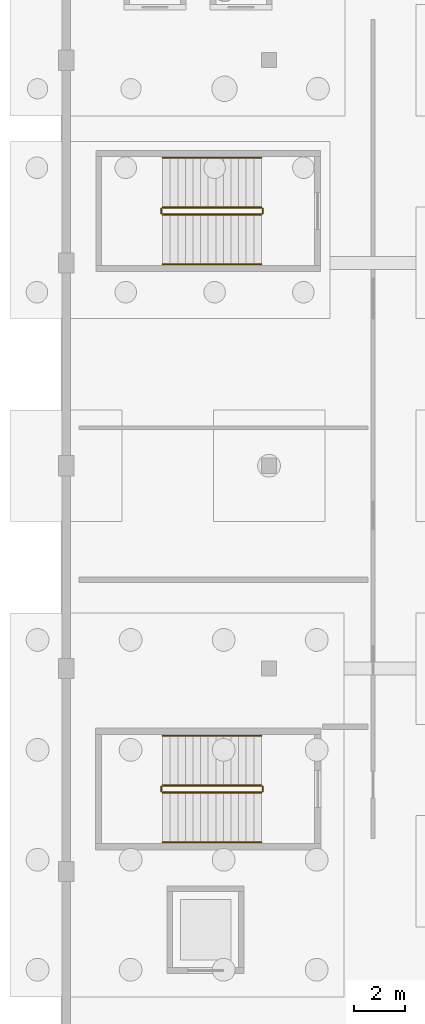
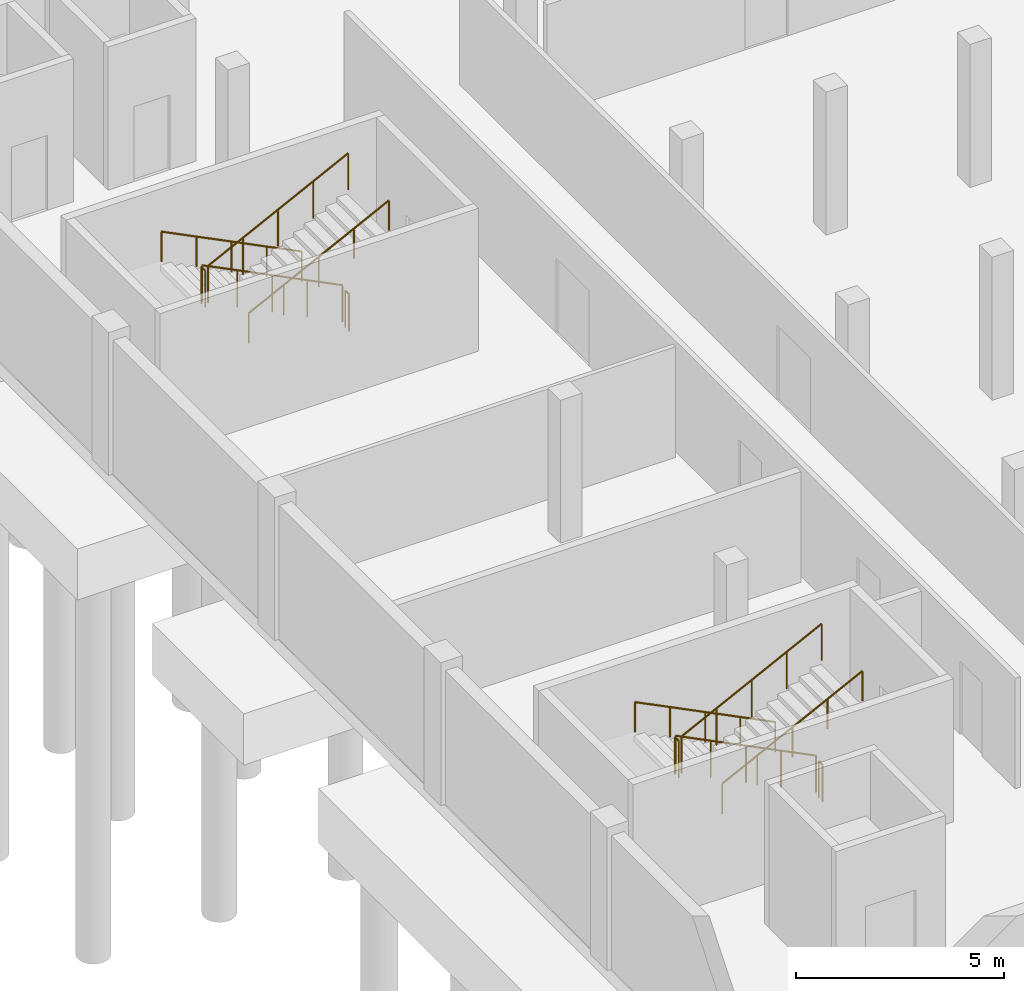
# One storey, part 11 of 15: 12 railings.
"""IFC4 building model written with IfcOpenShell, lengths in metres."""

from ifc_helpers import new_model, si_unit, derived_unit, direction, frame, origin, origin_2d, place, context, subcontext, project, spatial, circle, extrude, material, type_object, element, save


model = new_model("IFC4")

# Units and contexts
model_context = context("Model", 3, precision=1e-05, world=origin(), true_north=direction((0.0, 1.0)))
body_context = subcontext(model_context, "Body", "Model", "MODEL_VIEW")
ifc_project = project(units=[si_unit("LENGTHUNIT", "METRE"), si_unit("AREAUNIT", "SQUARE_METRE"), si_unit("VOLUMEUNIT", "CUBIC_METRE"), si_unit("PLANEANGLEUNIT", "RADIAN"), si_unit("MASSUNIT", "GRAM", prefix="KILO"), derived_unit("THERMALTRANSMITTANCEUNIT", [(si_unit("POWERUNIT", "WATT"), 1), (si_unit("LENGTHUNIT", "METRE"), -2), (si_unit("THERMODYNAMICTEMPERATUREUNIT", "KELVIN"), -1)])], contexts=[model_context])

# Site, building, storey
site_placement = place(None, origin())
site = spatial("IfcSite", under=ifc_project, at=site_placement, CompositionType="ELEMENT")
building_placement = place(site_placement, origin())
building = spatial("IfcBuilding", under=site, at=building_placement, Name="Keldorne Ridge Multi-Sports Centre", CompositionType="ELEMENT")
storey_placement = place(building_placement, frame((0.0, 0.0, -4.199951171875)))
storey = spatial("IfcBuildingStorey", under=building, at=storey_placement, Name="B01", CompositionType="ELEMENT", Elevation=-4.199951171875)

# Railings
ifc_material_1 = material(Name="Laminated glass and stainless steel", Category="steel")
railing_type_1 = type_object("IfcRailingType", Name="RLG-BL-01", PredefinedType="BALUSTRADE", material=ifc_material_1)
railing_1_placement = place(storey_placement, frame((111.699951171875, 77.389892578125, 0.14990234375)))
element("IfcRailing", 1, at=railing_1_placement, inside=storey, type_object=railing_type_1, Name="B01 ST-02 stair guard 1", PredefinedType="BALUSTRADE", context=body_context, shape_type="SweptSolid", body=[
    extrude(circle(Radius=0.02392578125, at=origin_2d()), frame((0.0, 0.0, 1.076171875), z_axis=(-0.894427191, 0.0, 0.4472135955), x_axis=(0.0, -1.0, 0.0)), (0.0, 0.0, 1.0), 4.360107421875),
    extrude(circle(Radius=0.02099609375, at=origin_2d()), origin(), (0.0, 0.0, 1.0), 1.052001953125),
    extrude(circle(Radius=0.02099609375, at=origin_2d()), frame((-0.97509765625, 0.0, 0.487548828125)), (0.0, 0.0, 1.0), 1.052001953125),
    extrude(circle(Radius=0.02099609375, at=origin_2d()), frame((-1.949951171875, 0.0, 0.97509765625)), (0.0, 0.0, 1.0), 1.052001953125),
    extrude(circle(Radius=0.02099609375, at=origin_2d()), frame((-2.9248046875, 0.0, 1.46240234375)), (0.0, 0.0, 1.0), 1.052001953125),
    extrude(circle(Radius=0.02099609375, at=origin_2d()), frame((-3.89990234375, 0.0, 1.949951171875)), (0.0, 0.0, 1.0), 1.052001953125),
])
railing_2_placement = place(storey_placement, frame((107.75, 77.340087890625, 2.099853515625)))
element("IfcRailing", 2, at=railing_2_placement, inside=storey, type_object=railing_type_1, Name="B01 ST-02 stair guard 2", PredefinedType="BALUSTRADE", context=body_context, shape_type="SweptSolid", body=[
    extrude(circle(Radius=0.02392578125, at=origin_2d()), frame((0.0, 0.0, 1.076171875), z_axis=(0.0, -1.0, 0.0), x_axis=(1.0, 0.0, 0.0)), (0.0, 0.0, 1.0), 0.18017578125),
    extrude(circle(Radius=0.02099609375, at=origin_2d()), origin(), (0.0, 0.0, 1.0), 1.052001953125),
    extrude(circle(Radius=0.02099609375, at=origin_2d()), frame((0.0, -0.18017578125, 0.0)), (0.0, 0.0, 1.0), 1.052001953125),
])
railing_3_placement = place(storey_placement, frame((107.800048828125, 77.110107421875, 2.25)))
element("IfcRailing", 3, at=railing_3_placement, inside=storey, type_object=railing_type_1, Name="B01 ST-02 stair guard 3", PredefinedType="BALUSTRADE", context=body_context, shape_type="SweptSolid", body=[
    extrude(circle(Radius=0.02392578125, at=origin_2d()), frame((0.0, 0.0, 1.076171875), z_axis=(0.894427191, 0.0, 0.4472135955), x_axis=(0.0, 1.0, 0.0)), (0.0, 0.0, 1.0), 4.360107421875),
    extrude(circle(Radius=0.02099609375, at=origin_2d()), origin(), (0.0, 0.0, 1.0), 1.052001953125),
    extrude(circle(Radius=0.02099609375, at=origin_2d()), frame((0.97509765625, 0.0, 0.487548828125)), (0.0, 0.0, 1.0), 1.052001953125),
    extrude(circle(Radius=0.02099609375, at=origin_2d()), frame((1.949951171875, 0.0, 0.97509765625)), (0.0, 0.0, 1.0), 1.052001953125),
    extrude(circle(Radius=0.02099609375, at=origin_2d()), frame((2.9248046875, 0.0, 1.46240234375)), (0.0, 0.0, 1.0), 1.052001953125),
    extrude(circle(Radius=0.02099609375, at=origin_2d()), frame((3.89990234375, 0.0, 1.949951171875)), (0.0, 0.0, 1.0), 1.052001953125),
])
railing_4_placement = place(storey_placement, frame((111.75, 77.340087890625, 0.0)))
element("IfcRailing", 4, at=railing_4_placement, inside=storey, type_object=railing_type_1, Name="B01 ST-02 stair guard 4", PredefinedType="BALUSTRADE", context=body_context, shape_type="SweptSolid", body=[
    extrude(circle(Radius=0.02392578125, at=origin_2d()), frame((0.0, 0.0, 1.076171875), z_axis=(0.0, -1.0, 0.0), x_axis=(1.0, 0.0, 0.0)), (0.0, 0.0, 1.0), 0.18017578125),
    extrude(circle(Radius=0.02099609375, at=origin_2d()), origin(), (0.0, 0.0, 1.0), 1.052001953125),
    extrude(circle(Radius=0.02099609375, at=origin_2d()), frame((0.0, -0.18017578125, 0.0)), (0.0, 0.0, 1.0), 1.052001953125),
])
railing_5_placement = place(storey_placement, frame((111.699951171875, 100.18994140625, 0.14990234375)))
element("IfcRailing", 5, at=railing_5_placement, inside=storey, type_object=railing_type_1, Name="B01 ST-11 stair guard 1", PredefinedType="BALUSTRADE", context=body_context, shape_type="SweptSolid", body=[
    extrude(circle(Radius=0.02392578125, at=origin_2d()), frame((0.0, 0.0, 1.076171875), z_axis=(-0.894427191, 0.0, 0.4472135955), x_axis=(0.0, -1.0, 0.0)), (0.0, 0.0, 1.0), 4.360107421875),
    extrude(circle(Radius=0.02099609375, at=origin_2d()), origin(), (0.0, 0.0, 1.0), 1.052001953125),
    extrude(circle(Radius=0.02099609375, at=origin_2d()), frame((-0.97509765625, 0.0, 0.487548828125)), (0.0, 0.0, 1.0), 1.052001953125),
    extrude(circle(Radius=0.02099609375, at=origin_2d()), frame((-1.949951171875, 0.0, 0.97509765625)), (0.0, 0.0, 1.0), 1.052001953125),
    extrude(circle(Radius=0.02099609375, at=origin_2d()), frame((-2.9248046875, 0.0, 1.46240234375)), (0.0, 0.0, 1.0), 1.052001953125),
    extrude(circle(Radius=0.02099609375, at=origin_2d()), frame((-3.89990234375, 0.0, 1.949951171875)), (0.0, 0.0, 1.0), 1.052001953125),
])
railing_6_placement = place(storey_placement, frame((107.75, 100.139892578125, 2.099853515625)))
element("IfcRailing", 6, at=railing_6_placement, inside=storey, type_object=railing_type_1, Name="B01 ST-11 stair guard 2", PredefinedType="BALUSTRADE", context=body_context, shape_type="SweptSolid", body=[
    extrude(circle(Radius=0.02392578125, at=origin_2d()), frame((0.0, 0.0, 1.076171875), z_axis=(0.0, -1.0, 0.0), x_axis=(1.0, 0.0, 0.0)), (0.0, 0.0, 1.0), 0.179931640625),
    extrude(circle(Radius=0.02099609375, at=origin_2d()), origin(), (0.0, 0.0, 1.0), 1.052001953125),
    extrude(circle(Radius=0.02099609375, at=origin_2d()), frame((0.0, -0.179931640625, 0.0)), (0.0, 0.0, 1.0), 1.052001953125),
])
railing_7_placement = place(storey_placement, frame((107.800048828125, 99.909912109375, 2.25)))
element("IfcRailing", 7, at=railing_7_placement, inside=storey, type_object=railing_type_1, Name="B01 ST-11 stair guard 3", PredefinedType="BALUSTRADE", context=body_context, shape_type="SweptSolid", body=[
    extrude(circle(Radius=0.02392578125, at=origin_2d()), frame((0.0, 0.0, 1.076171875), z_axis=(0.894427191, 0.0, 0.4472135955), x_axis=(0.0, 1.0, 0.0)), (0.0, 0.0, 1.0), 4.360107421875),
    extrude(circle(Radius=0.02099609375, at=origin_2d()), origin(), (0.0, 0.0, 1.0), 1.052001953125),
    extrude(circle(Radius=0.02099609375, at=origin_2d()), frame((0.97509765625, 0.0, 0.487548828125)), (0.0, 0.0, 1.0), 1.052001953125),
    extrude(circle(Radius=0.02099609375, at=origin_2d()), frame((1.949951171875, 0.0, 0.97509765625)), (0.0, 0.0, 1.0), 1.052001953125),
    extrude(circle(Radius=0.02099609375, at=origin_2d()), frame((2.9248046875, 0.0, 1.46240234375)), (0.0, 0.0, 1.0), 1.052001953125),
    extrude(circle(Radius=0.02099609375, at=origin_2d()), frame((3.89990234375, 0.0, 1.949951171875)), (0.0, 0.0, 1.0), 1.052001953125),
])
railing_8_placement = place(storey_placement, frame((111.75, 100.139892578125, 0.0)))
element("IfcRailing", 8, at=railing_8_placement, inside=storey, type_object=railing_type_1, Name="B01 ST-11 stair guard 4", PredefinedType="BALUSTRADE", context=body_context, shape_type="SweptSolid", body=[
    extrude(circle(Radius=0.02392578125, at=origin_2d()), frame((0.0, 0.0, 1.076171875), z_axis=(0.0, -1.0, 0.0), x_axis=(1.0, 0.0, 0.0)), (0.0, 0.0, 1.0), 0.179931640625),
    extrude(circle(Radius=0.02099609375, at=origin_2d()), origin(), (0.0, 0.0, 1.0), 1.052001953125),
    extrude(circle(Radius=0.02099609375, at=origin_2d()), frame((0.0, -0.179931640625, 0.0)), (0.0, 0.0, 1.0), 1.052001953125),
])
ifc_material_2 = material(Name="Stainless steel", Category="steel")
railing_type_2 = type_object("IfcRailingType", Name="RLG-HR-01", PredefinedType="HANDRAIL", material=ifc_material_2)
railing_9_placement = place(storey_placement, frame((111.699951171875, 79.35009765625, 0.14990234375)))
element("IfcRailing", 9, at=railing_9_placement, inside=storey, type_object=railing_type_2, Name="B01 ST-02 stair handrail 1", PredefinedType="HANDRAIL", context=body_context, shape_type="SweptSolid", body=[
    extrude(circle(Radius=0.02392578125, at=origin_2d()), frame((0.0, 0.0, 0.8759765625), z_axis=(-0.894427191, 0.0, 0.4472135955), x_axis=(0.0, -1.0, 0.0)), (0.0, 0.0, 1.0), 4.360107421875),
    extrude(circle(Radius=0.02099609375, at=origin_2d()), origin(), (0.0, 0.0, 1.0), 0.851806640625),
    extrude(circle(Radius=0.02099609375, at=origin_2d()), frame((-0.97509765625, 0.0, 0.487548828125)), (0.0, 0.0, 1.0), 0.851806640625),
    extrude(circle(Radius=0.02099609375, at=origin_2d()), frame((-1.949951171875, 0.0, 0.97509765625)), (0.0, 0.0, 1.0), 0.851806640625),
    extrude(circle(Radius=0.02099609375, at=origin_2d()), frame((-2.9248046875, 0.0, 1.46240234375)), (0.0, 0.0, 1.0), 0.851806640625),
    extrude(circle(Radius=0.02099609375, at=origin_2d()), frame((-3.89990234375, 0.0, 1.949951171875)), (0.0, 0.0, 1.0), 0.851806640625),
])
railing_10_placement = place(storey_placement, frame((107.800048828125, 75.14990234375, 2.25)))
element("IfcRailing", 10, at=railing_10_placement, inside=storey, type_object=railing_type_2, Name="B01 ST-02 stair handrail 2", PredefinedType="HANDRAIL", context=body_context, shape_type="SweptSolid", body=[
    extrude(circle(Radius=0.02392578125, at=origin_2d()), frame((0.0, 0.0, 0.8759765625), z_axis=(0.894427191, 0.0, 0.4472135955), x_axis=(0.0, 1.0, 0.0)), (0.0, 0.0, 1.0), 4.360107421875),
    extrude(circle(Radius=0.02099609375, at=origin_2d()), origin(), (0.0, 0.0, 1.0), 0.851806640625),
    extrude(circle(Radius=0.02099609375, at=origin_2d()), frame((0.97509765625, 0.0, 0.487548828125)), (0.0, 0.0, 1.0), 0.851806640625),
    extrude(circle(Radius=0.02099609375, at=origin_2d()), frame((1.949951171875, 0.0, 0.97509765625)), (0.0, 0.0, 1.0), 0.851806640625),
    extrude(circle(Radius=0.02099609375, at=origin_2d()), frame((2.9248046875, 0.0, 1.46240234375)), (0.0, 0.0, 1.0), 0.851806640625),
    extrude(circle(Radius=0.02099609375, at=origin_2d()), frame((3.89990234375, 0.0, 1.949951171875)), (0.0, 0.0, 1.0), 0.851806640625),
])
railing_11_placement = place(storey_placement, frame((111.699951171875, 102.14990234375, 0.14990234375)))
element("IfcRailing", 11, at=railing_11_placement, inside=storey, type_object=railing_type_2, Name="B01 ST-11 stair handrail 1", PredefinedType="HANDRAIL", context=body_context, shape_type="SweptSolid", body=[
    extrude(circle(Radius=0.02392578125, at=origin_2d()), frame((0.0, 0.0, 0.8759765625), z_axis=(-0.894427191, 0.0, 0.4472135955), x_axis=(0.0, -1.0, 0.0)), (0.0, 0.0, 1.0), 4.360107421875),
    extrude(circle(Radius=0.02099609375, at=origin_2d()), origin(), (0.0, 0.0, 1.0), 0.851806640625),
    extrude(circle(Radius=0.02099609375, at=origin_2d()), frame((-0.97509765625, 0.0, 0.487548828125)), (0.0, 0.0, 1.0), 0.851806640625),
    extrude(circle(Radius=0.02099609375, at=origin_2d()), frame((-1.949951171875, 0.0, 0.97509765625)), (0.0, 0.0, 1.0), 0.851806640625),
    extrude(circle(Radius=0.02099609375, at=origin_2d()), frame((-2.9248046875, 0.0, 1.46240234375)), (0.0, 0.0, 1.0), 0.851806640625),
    extrude(circle(Radius=0.02099609375, at=origin_2d()), frame((-3.89990234375, 0.0, 1.949951171875)), (0.0, 0.0, 1.0), 0.851806640625),
])
railing_12_placement = place(storey_placement, frame((107.800048828125, 97.949951171875, 2.25)))
element("IfcRailing", 12, at=railing_12_placement, inside=storey, type_object=railing_type_2, Name="B01 ST-11 stair handrail 2", PredefinedType="HANDRAIL", context=body_context, shape_type="SweptSolid", body=[
    extrude(circle(Radius=0.02392578125, at=origin_2d()), frame((0.0, 0.0, 0.8759765625), z_axis=(0.894427191, 0.0, 0.4472135955), x_axis=(0.0, 1.0, 0.0)), (0.0, 0.0, 1.0), 4.360107421875),
    extrude(circle(Radius=0.02099609375, at=origin_2d()), origin(), (0.0, 0.0, 1.0), 0.851806640625),
    extrude(circle(Radius=0.02099609375, at=origin_2d()), frame((0.97509765625, 0.0, 0.487548828125)), (0.0, 0.0, 1.0), 0.851806640625),
    extrude(circle(Radius=0.02099609375, at=origin_2d()), frame((1.949951171875, 0.0, 0.97509765625)), (0.0, 0.0, 1.0), 0.851806640625),
    extrude(circle(Radius=0.02099609375, at=origin_2d()), frame((2.9248046875, 0.0, 1.46240234375)), (0.0, 0.0, 1.0), 0.851806640625),
    extrude(circle(Radius=0.02099609375, at=origin_2d()), frame((3.89990234375, 0.0, 1.949951171875)), (0.0, 0.0, 1.0), 0.851806640625),
])

save(model, "model.ifc")
